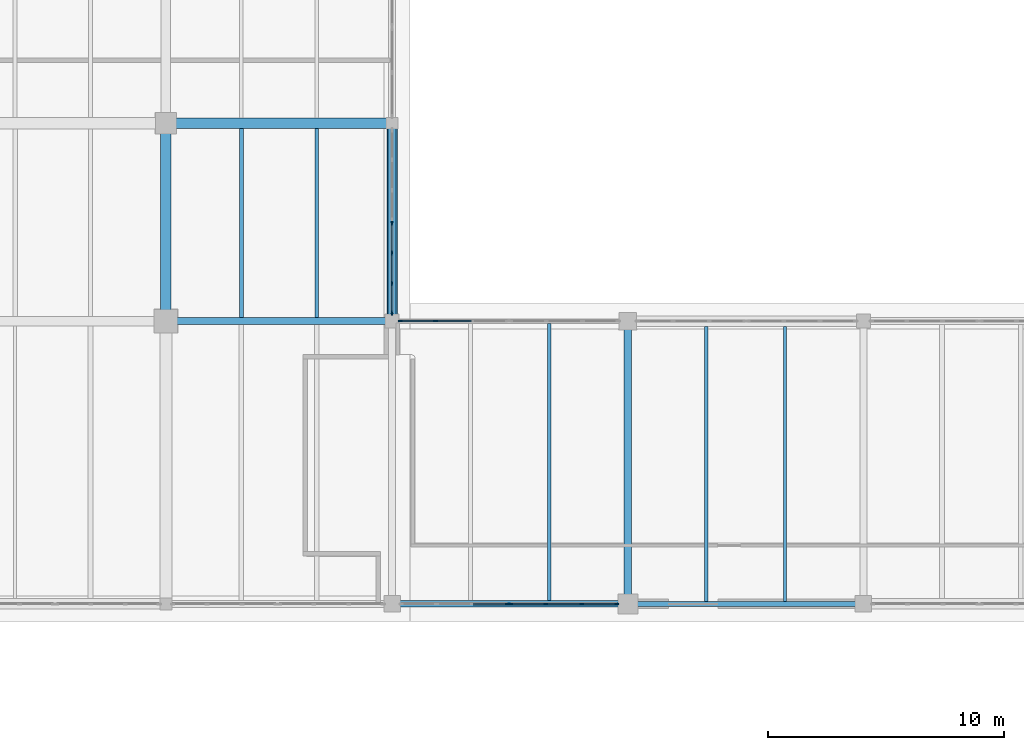
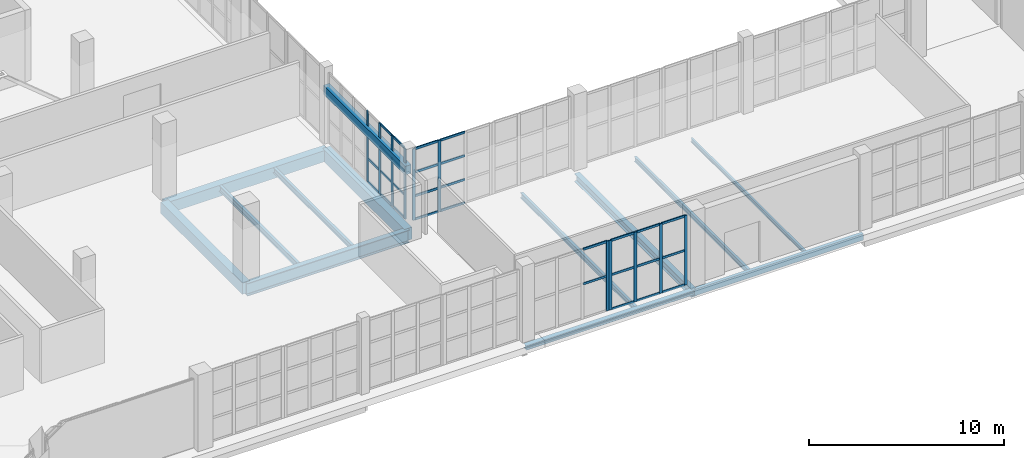
# One storey, part 29 of 121: 40 members, 13 beams, 4 elements without a shape of their own.
"""IFC4 building model written with IfcOpenShell, lengths in metres."""

from ifc_helpers import new_model, si_unit, direction, frame, origin, origin_2d, place, context, subcontext, project, spatial, rectangle, hollow_rectangle, i_section, extrude, material, layer, layer_set, material_profile, profile_set, type_object, element, aggregate, save


model = new_model("IFC4")

# Units and contexts
model_context = context("Model", 3, precision=1e-05, world=origin(), true_north=direction((0.0, 1.0)))
body_context = subcontext(model_context, "Body", "Model", "MODEL_VIEW")
ifc_project = project(units=[si_unit("LENGTHUNIT", "METRE"), si_unit("AREAUNIT", "SQUARE_METRE"), si_unit("VOLUMEUNIT", "CUBIC_METRE"), si_unit("PLANEANGLEUNIT", "RADIAN"), si_unit("MASSUNIT", "GRAM", prefix="KILO")], contexts=[model_context])

# Site, building, storey
site_placement = place(None, origin())
site = spatial("IfcSite", under=ifc_project, at=site_placement, CompositionType="ELEMENT")
building_placement = place(site_placement, origin())
building = spatial("IfcBuilding", under=site, at=building_placement, Name="Zereglee Splitstone Museum", CompositionType="ELEMENT")
storey_placement = place(building_placement, origin())
storey = spatial("IfcBuildingStorey", under=building, at=storey_placement, Name="L00", CompositionType="ELEMENT", Elevation=0.0)

# Beams
ifc_material_1 = material(Name="Concrete C40/50", Category="concrete")
ifc_material_profile_1 = material_profile(ifc_material_1, rectangle(XDim=0.449951171875, YDim=0.699951171875, at=origin_2d()), Name="RC 450x700")
ifc_profile_set_1 = profile_set([ifc_material_profile_1], Name="Concrete C40/50")
beam_type_1 = type_object("IfcBeamType", Name="BG-03", PredefinedType="BEAM", material=ifc_profile_set_1)
beam_1_placement = place(storey_placement, frame((135.60009765625, 30.0, -0.77001953125), z_axis=(1.0, 0.0, 0.0), x_axis=(0.0, 1.0, 0.0)))
element("IfcBeam", 1, at=beam_1_placement, inside=storey, type_object=beam_type_1, Name="Primary Girder L00 D (135.6-145.2)", PredefinedType="BEAM", context=body_context, shape_type="SweptSolid", body=[
    extrude(rectangle(XDim=0.449951171875, YDim=0.699951171875, at=origin_2d()), origin(), (0.0, 0.0, 1.0), 9.599853515625),
])
beam_2_placement = place(storey_placement, frame((135.60009765625, 21.60009765625, -0.77001953125), z_axis=(0.0, 1.0, 0.0), x_axis=(-1.0, 0.0, 0.0)))
element("IfcBeam", 2, at=beam_2_placement, inside=storey, type_object=beam_type_1, Name="Primary Girder L00 16 (21.6-30.0)", PredefinedType="BEAM", context=body_context, shape_type="SweptSolid", body=[
    extrude(rectangle(XDim=0.449951171875, YDim=0.699951171875, at=origin_2d()), origin(), (0.0, 0.0, 1.0), 8.39990234375),
])

# Curtain wall, members
ifc_material_2 = material(Name="Triple-glazed low-E argon glass and bronze-anodised aluminium", Category="aluminium")
ifc_layer_1 = layer(ifc_material_2, 0.179931640625)
ifc_layer_set_1 = layer_set([ifc_layer_1], Name="Triple-glazed low-E argon glass and bronze-anodised aluminium")
curtain_wall_type_1 = type_object("IfcCurtainWallType", Name="CW-0461-448", PredefinedType="USERDEFINED", material=ifc_layer_set_1)
curtain_wall_1_placement = place(storey_placement, origin())
curtain_wall_1 = element("IfcCurtainWall", 3, at=curtain_wall_1_placement, inside=storey, type_object=curtain_wall_type_1, Name="Glazed Curtain Wall CW-0461-448 (L00)", ObjectType="GLAZED CURTAIN WALL", PredefinedType="USERDEFINED")
ifc_material_3 = material(Name="Thermally broken bronze-anodised aluminium", Category="aluminium")
ifc_material_profile_2 = material_profile(ifc_material_3, rectangle(XDim=0.06494140625, YDim=0.179931640625, at=origin_2d()), Name="CW MULL 65x180")
ifc_profile_set_2 = profile_set([ifc_material_profile_2], Name="Thermally broken bronze-anodised aluminium")
member_type_1 = type_object("IfcMemberType", Name="CWM-01", PredefinedType="MULLION", material=ifc_profile_set_2)
member_1_placement = place(storey_placement, frame((147.046142578125, 21.60009765625, 0.0), z_axis=(0.0, 0.0, 1.0), x_axis=(0.0, -1.0, 0.0)))
member_1 = element("IfcMember", 4, at=member_1_placement, type_object=member_type_1, Name="CW-0461-448 mullion 3", PredefinedType="MULLION", context=body_context, shape_type="SweptSolid", body=[
    extrude(rectangle(XDim=0.06494140625, YDim=0.179931640625, at=origin_2d()), origin(), (0.0, 0.0, 1.0), 4.47998046875),
])
member_2_placement = place(storey_placement, frame((145.54052734375, 21.60009765625, 0.0), z_axis=(0.0, 0.0, 1.0), x_axis=(0.0, -1.0, 0.0)))
member_2 = element("IfcMember", 5, at=member_2_placement, type_object=member_type_1, Name="CW-0461-448 mullion 4", PredefinedType="MULLION", context=body_context, shape_type="SweptSolid", body=[
    extrude(rectangle(XDim=0.06494140625, YDim=0.179931640625, at=origin_2d()), origin(), (0.0, 0.0, 1.0), 4.47998046875),
])

ifc_layer_2 = layer(ifc_material_2, 0.179931640625)
ifc_layer_set_2 = layer_set([ifc_layer_2], Name="Triple-glazed low-E argon glass and bronze-anodised aluminium")
curtain_wall_type_2 = type_object("IfcCurtainWallType", Name="CW-0388-444", PredefinedType="USERDEFINED", material=ifc_layer_set_2)
curtain_wall_2_placement = place(storey_placement, origin())
curtain_wall_2 = element("IfcCurtainWall", 6, at=curtain_wall_2_placement, inside=storey, type_object=curtain_wall_type_2, Name="Glazed Curtain Wall CW-0388-444 (L00)", ObjectType="GLAZED CURTAIN WALL", PredefinedType="USERDEFINED")
member_3_placement = place(storey_placement, frame((145.199951171875, 21.9404296875, 0.0), z_axis=(0.0, 0.0, 1.0), x_axis=(-1.0, 0.0, 0.0)))
member_3 = element("IfcMember", 7, at=member_3_placement, type_object=member_type_1, Name="CW-0388-444 mullion 1", PredefinedType="MULLION", context=body_context, shape_type="SweptSolid", body=[
    extrude(rectangle(XDim=0.06494140625, YDim=0.179931640625, at=origin_2d()), origin(), (0.0, 0.0, 1.0), 4.43994140625),
])
member_4_placement = place(storey_placement, frame((145.199951171875, 23.200439453125, 0.0), z_axis=(0.0, 0.0, 1.0), x_axis=(-1.0, 0.0, 0.0)))
member_4 = element("IfcMember", 8, at=member_4_placement, type_object=member_type_1, Name="CW-0388-444 mullion 2", PredefinedType="MULLION", context=body_context, shape_type="SweptSolid", body=[
    extrude(rectangle(XDim=0.06494140625, YDim=0.179931640625, at=origin_2d()), origin(), (0.0, 0.0, 1.0), 4.43994140625),
])
member_5_placement = place(storey_placement, frame((145.199951171875, 24.49267578125, 0.0), z_axis=(0.0, 0.0, 1.0), x_axis=(-1.0, 0.0, 0.0)))
member_5 = element("IfcMember", 9, at=member_5_placement, type_object=member_type_1, Name="CW-0388-444 mullion 3", PredefinedType="MULLION", context=body_context, shape_type="SweptSolid", body=[
    extrude(rectangle(XDim=0.06494140625, YDim=0.179931640625, at=origin_2d()), origin(), (0.0, 0.0, 1.0), 4.43994140625),
])
member_6_placement = place(storey_placement, frame((145.199951171875, 25.75244140625, 0.0), z_axis=(0.0, 0.0, 1.0), x_axis=(-1.0, 0.0, 0.0)))
member_6 = element("IfcMember", 10, at=member_6_placement, type_object=member_type_1, Name="CW-0388-444 mullion 4", PredefinedType="MULLION", context=body_context, shape_type="SweptSolid", body=[
    extrude(rectangle(XDim=0.06494140625, YDim=0.179931640625, at=origin_2d()), origin(), (0.0, 0.0, 1.0), 4.43994140625),
])

# Curtain wall, member
ifc_layer_3 = layer(ifc_material_2, 0.179931640625)
ifc_layer_set_3 = layer_set([ifc_layer_3], Name="Triple-glazed low-E argon glass and bronze-anodised aluminium")
curtain_wall_type_3 = type_object("IfcCurtainWallType", Name="CW-0456-438", PredefinedType="USERDEFINED", material=ifc_layer_set_3)
curtain_wall_3_placement = place(storey_placement, origin())
curtain_wall_3 = element("IfcCurtainWall", 11, at=curtain_wall_3_placement, inside=storey, type_object=curtain_wall_type_3, Name="Glazed Curtain Wall CW-0456-438 (L00)", ObjectType="GLAZED CURTAIN WALL", PredefinedType="USERDEFINED")
member_7_placement = place(storey_placement, frame((150.090087890625, 9.60009765625, 0.0), z_axis=(0.0, 0.0, 1.0), x_axis=(0.0, 1.0, 0.0)))
member_7 = element("IfcMember", 12, at=member_7_placement, type_object=member_type_1, Name="CW-0456-438 mullion 4", PredefinedType="MULLION", context=body_context, shape_type="SweptSolid", body=[
    extrude(rectangle(XDim=0.06494140625, YDim=0.179931640625, at=origin_2d()), origin(), (0.0, 0.0, 1.0), 4.3798828125),
])

# Curtain wall, members
ifc_layer_4 = layer(ifc_material_2, 0.179931640625)
ifc_layer_set_4 = layer_set([ifc_layer_4], Name="Triple-glazed low-E argon glass and bronze-anodised aluminium")
curtain_wall_type_4 = type_object("IfcCurtainWallType", Name="CW-0456-436", PredefinedType="USERDEFINED", material=ifc_layer_set_4)
curtain_wall_4_placement = place(storey_placement, origin())
curtain_wall_4 = element("IfcCurtainWall", 13, at=curtain_wall_4_placement, inside=storey, type_object=curtain_wall_type_4, Name="Glazed Curtain Wall CW-0456-436 (L00)", ObjectType="GLAZED CURTAIN WALL", PredefinedType="USERDEFINED")
member_8_placement = place(storey_placement, frame((150.235107421875, 9.60009765625, 0.0), z_axis=(0.0, 0.0, 1.0), x_axis=(0.0, 1.0, 0.0)))
member_8 = element("IfcMember", 14, at=member_8_placement, type_object=member_type_1, Name="CW-0456-436 mullion 1", PredefinedType="MULLION", context=body_context, shape_type="SweptSolid", body=[
    extrude(rectangle(XDim=0.06494140625, YDim=0.179931640625, at=origin_2d()), origin(), (0.0, 0.0, 1.0), 4.360107421875),
])
member_9_placement = place(storey_placement, frame((151.72412109375, 9.60009765625, 0.0), z_axis=(0.0, 0.0, 1.0), x_axis=(0.0, 1.0, 0.0)))
member_9 = element("IfcMember", 15, at=member_9_placement, type_object=member_type_1, Name="CW-0456-436 mullion 2", PredefinedType="MULLION", context=body_context, shape_type="SweptSolid", body=[
    extrude(rectangle(XDim=0.06494140625, YDim=0.179931640625, at=origin_2d()), origin(), (0.0, 0.0, 1.0), 4.360107421875),
])
member_10_placement = place(storey_placement, frame((153.24560546875, 9.60009765625, 0.0), z_axis=(0.0, 0.0, 1.0), x_axis=(0.0, 1.0, 0.0)))
member_10 = element("IfcMember", 16, at=member_10_placement, type_object=member_type_1, Name="CW-0456-436 mullion 3", PredefinedType="MULLION", context=body_context, shape_type="SweptSolid", body=[
    extrude(rectangle(XDim=0.06494140625, YDim=0.179931640625, at=origin_2d()), origin(), (0.0, 0.0, 1.0), 4.360107421875),
])
member_11_placement = place(storey_placement, frame((154.734619140625, 9.60009765625, 0.0), z_axis=(0.0, 0.0, 1.0), x_axis=(0.0, 1.0, 0.0)))
member_11 = element("IfcMember", 17, at=member_11_placement, type_object=member_type_1, Name="CW-0456-436 mullion 4", PredefinedType="MULLION", context=body_context, shape_type="SweptSolid", body=[
    extrude(rectangle(XDim=0.06494140625, YDim=0.179931640625, at=origin_2d()), origin(), (0.0, 0.0, 1.0), 4.360107421875),
])

# Member
ifc_material_profile_3 = material_profile(ifc_material_3, rectangle(XDim=0.06494140625, YDim=0.139892578125, at=origin_2d()), Name="CW TRAN 65x140")
ifc_profile_set_3 = profile_set([ifc_material_profile_3], Name="Thermally broken bronze-anodised aluminium")
member_type_2 = type_object("IfcMemberType", Name="CWT-01", PredefinedType="USERDEFINED", material=ifc_profile_set_3)
member_12_placement = place(storey_placement, frame((148.5517578125, 21.60009765625, 0.032470703125), z_axis=(-1.0, 0.0, 0.0), x_axis=(0.0, -1.0, 0.0)))
member_12 = element("IfcMember", 18, at=member_12_placement, type_object=member_type_2, Name="CW-0461-448 transom 2.1", ObjectType="TRANSOM", PredefinedType="USERDEFINED", context=body_context, shape_type="SweptSolid", body=[
    extrude(rectangle(XDim=0.06494140625, YDim=0.139892578125, at=origin_2d()), origin(), (0.0, 0.0, 1.0), 1.47314453125),
])

member_13_placement = place(storey_placement, frame((148.5517578125, 21.60009765625, 1.493408203125), z_axis=(-1.0, 0.0, 0.0), x_axis=(0.0, -1.0, 0.0)))
member_13 = element("IfcMember", 19, at=member_13_placement, type_object=member_type_2, Name="CW-0461-448 transom 2.2", ObjectType="TRANSOM", PredefinedType="USERDEFINED", context=body_context, shape_type="SweptSolid", body=[
    extrude(rectangle(XDim=0.06494140625, YDim=0.139892578125, at=origin_2d()), origin(), (0.0, 0.0, 1.0), 1.47314453125),
])

member_14_placement = place(storey_placement, frame((148.5517578125, 21.60009765625, 2.98681640625), z_axis=(-1.0, 0.0, 0.0), x_axis=(0.0, -1.0, 0.0)))
member_14 = element("IfcMember", 20, at=member_14_placement, type_object=member_type_2, Name="CW-0461-448 transom 2.3", ObjectType="TRANSOM", PredefinedType="USERDEFINED", context=body_context, shape_type="SweptSolid", body=[
    extrude(rectangle(XDim=0.06494140625, YDim=0.139892578125, at=origin_2d()), origin(), (0.0, 0.0, 1.0), 1.47314453125),
])

member_15_placement = place(storey_placement, frame((148.5517578125, 21.60009765625, 4.447509765625), z_axis=(-1.0, 0.0, 0.0), x_axis=(0.0, -1.0, 0.0)))
member_15 = element("IfcMember", 21, at=member_15_placement, type_object=member_type_2, Name="CW-0461-448 transom 2.4", ObjectType="TRANSOM", PredefinedType="USERDEFINED", context=body_context, shape_type="SweptSolid", body=[
    extrude(rectangle(XDim=0.06494140625, YDim=0.139892578125, at=origin_2d()), origin(), (0.0, 0.0, 1.0), 1.47314453125),
])

member_16_placement = place(storey_placement, frame((147.013671875, 21.60009765625, 0.032470703125), z_axis=(-1.0, 0.0, 0.0), x_axis=(0.0, -1.0, 0.0)))
member_16 = element("IfcMember", 22, at=member_16_placement, type_object=member_type_2, Name="CW-0461-448 transom 3.1", ObjectType="TRANSOM", PredefinedType="USERDEFINED", context=body_context, shape_type="SweptSolid", body=[
    extrude(rectangle(XDim=0.06494140625, YDim=0.139892578125, at=origin_2d()), origin(), (0.0, 0.0, 1.0), 1.440673828125),
])

member_17_placement = place(storey_placement, frame((147.013671875, 21.60009765625, 1.493408203125), z_axis=(-1.0, 0.0, 0.0), x_axis=(0.0, -1.0, 0.0)))
member_17 = element("IfcMember", 23, at=member_17_placement, type_object=member_type_2, Name="CW-0461-448 transom 3.2", ObjectType="TRANSOM", PredefinedType="USERDEFINED", context=body_context, shape_type="SweptSolid", body=[
    extrude(rectangle(XDim=0.06494140625, YDim=0.139892578125, at=origin_2d()), origin(), (0.0, 0.0, 1.0), 1.440673828125),
])

member_18_placement = place(storey_placement, frame((147.013671875, 21.60009765625, 2.98681640625), z_axis=(-1.0, 0.0, 0.0), x_axis=(0.0, -1.0, 0.0)))
member_18 = element("IfcMember", 24, at=member_18_placement, type_object=member_type_2, Name="CW-0461-448 transom 3.3", ObjectType="TRANSOM", PredefinedType="USERDEFINED", context=body_context, shape_type="SweptSolid", body=[
    extrude(rectangle(XDim=0.06494140625, YDim=0.139892578125, at=origin_2d()), origin(), (0.0, 0.0, 1.0), 1.440673828125),
])

member_19_placement = place(storey_placement, frame((147.013671875, 21.60009765625, 4.447509765625), z_axis=(-1.0, 0.0, 0.0), x_axis=(0.0, -1.0, 0.0)))
member_19 = element("IfcMember", 25, at=member_19_placement, type_object=member_type_2, Name="CW-0461-448 transom 3.4", ObjectType="TRANSOM", PredefinedType="USERDEFINED", context=body_context, shape_type="SweptSolid", body=[
    extrude(rectangle(XDim=0.06494140625, YDim=0.139892578125, at=origin_2d()), origin(), (0.0, 0.0, 1.0), 1.440673828125),
])

aggregate(curtain_wall_1, [member_1, member_2, member_12, member_13, member_14, member_15, member_16, member_17, member_18, member_19])

member_20_placement = place(storey_placement, frame((145.199951171875, 21.972900390625, 0.032470703125), z_axis=(0.0, 1.0, 0.0), x_axis=(-1.0, 0.0, 0.0)))
member_20 = element("IfcMember", 26, at=member_20_placement, type_object=member_type_2, Name="CW-0388-444 transom 1.1", ObjectType="TRANSOM", PredefinedType="USERDEFINED", context=body_context, shape_type="SweptSolid", body=[
    extrude(rectangle(XDim=0.06494140625, YDim=0.139892578125, at=origin_2d()), origin(), (0.0, 0.0, 1.0), 1.19482421875),
])

member_21_placement = place(storey_placement, frame((145.199951171875, 21.972900390625, 1.47998046875), z_axis=(0.0, 1.0, 0.0), x_axis=(-1.0, 0.0, 0.0)))
member_21 = element("IfcMember", 27, at=member_21_placement, type_object=member_type_2, Name="CW-0388-444 transom 1.2", ObjectType="TRANSOM", PredefinedType="USERDEFINED", context=body_context, shape_type="SweptSolid", body=[
    extrude(rectangle(XDim=0.06494140625, YDim=0.139892578125, at=origin_2d()), origin(), (0.0, 0.0, 1.0), 1.19482421875),
])

member_22_placement = place(storey_placement, frame((145.199951171875, 21.972900390625, 2.9599609375), z_axis=(0.0, 1.0, 0.0), x_axis=(-1.0, 0.0, 0.0)))
member_22 = element("IfcMember", 28, at=member_22_placement, type_object=member_type_2, Name="CW-0388-444 transom 1.3", ObjectType="TRANSOM", PredefinedType="USERDEFINED", context=body_context, shape_type="SweptSolid", body=[
    extrude(rectangle(XDim=0.06494140625, YDim=0.139892578125, at=origin_2d()), origin(), (0.0, 0.0, 1.0), 1.19482421875),
])

member_23_placement = place(storey_placement, frame((145.199951171875, 21.972900390625, 4.407470703125), z_axis=(0.0, 1.0, 0.0), x_axis=(-1.0, 0.0, 0.0)))
member_23 = element("IfcMember", 29, at=member_23_placement, type_object=member_type_2, Name="CW-0388-444 transom 1.4", ObjectType="TRANSOM", PredefinedType="USERDEFINED", context=body_context, shape_type="SweptSolid", body=[
    extrude(rectangle(XDim=0.06494140625, YDim=0.139892578125, at=origin_2d()), origin(), (0.0, 0.0, 1.0), 1.19482421875),
])

member_24_placement = place(storey_placement, frame((145.199951171875, 23.23291015625, 0.032470703125), z_axis=(0.0, 1.0, 0.0), x_axis=(-1.0, 0.0, 0.0)))
member_24 = element("IfcMember", 30, at=member_24_placement, type_object=member_type_2, Name="CW-0388-444 transom 2.1", ObjectType="TRANSOM", PredefinedType="USERDEFINED", context=body_context, shape_type="SweptSolid", body=[
    extrude(rectangle(XDim=0.06494140625, YDim=0.139892578125, at=origin_2d()), origin(), (0.0, 0.0, 1.0), 1.227294921875),
])

member_25_placement = place(storey_placement, frame((145.199951171875, 23.23291015625, 1.47998046875), z_axis=(0.0, 1.0, 0.0), x_axis=(-1.0, 0.0, 0.0)))
member_25 = element("IfcMember", 31, at=member_25_placement, type_object=member_type_2, Name="CW-0388-444 transom 2.2", ObjectType="TRANSOM", PredefinedType="USERDEFINED", context=body_context, shape_type="SweptSolid", body=[
    extrude(rectangle(XDim=0.06494140625, YDim=0.139892578125, at=origin_2d()), origin(), (0.0, 0.0, 1.0), 1.227294921875),
])

member_26_placement = place(storey_placement, frame((145.199951171875, 23.23291015625, 2.9599609375), z_axis=(0.0, 1.0, 0.0), x_axis=(-1.0, 0.0, 0.0)))
member_26 = element("IfcMember", 32, at=member_26_placement, type_object=member_type_2, Name="CW-0388-444 transom 2.3", ObjectType="TRANSOM", PredefinedType="USERDEFINED", context=body_context, shape_type="SweptSolid", body=[
    extrude(rectangle(XDim=0.06494140625, YDim=0.139892578125, at=origin_2d()), origin(), (0.0, 0.0, 1.0), 1.227294921875),
])

member_27_placement = place(storey_placement, frame((145.199951171875, 23.23291015625, 4.407470703125), z_axis=(0.0, 1.0, 0.0), x_axis=(-1.0, 0.0, 0.0)))
member_27 = element("IfcMember", 33, at=member_27_placement, type_object=member_type_2, Name="CW-0388-444 transom 2.4", ObjectType="TRANSOM", PredefinedType="USERDEFINED", context=body_context, shape_type="SweptSolid", body=[
    extrude(rectangle(XDim=0.06494140625, YDim=0.139892578125, at=origin_2d()), origin(), (0.0, 0.0, 1.0), 1.227294921875),
])

member_28_placement = place(storey_placement, frame((145.199951171875, 24.525146484375, 0.032470703125), z_axis=(0.0, 1.0, 0.0), x_axis=(-1.0, 0.0, 0.0)))
member_28 = element("IfcMember", 34, at=member_28_placement, type_object=member_type_2, Name="CW-0388-444 transom 3.1", ObjectType="TRANSOM", PredefinedType="USERDEFINED", context=body_context, shape_type="SweptSolid", body=[
    extrude(rectangle(XDim=0.06494140625, YDim=0.139892578125, at=origin_2d()), origin(), (0.0, 0.0, 1.0), 1.19482421875),
])

member_29_placement = place(storey_placement, frame((145.199951171875, 24.525146484375, 1.47998046875), z_axis=(0.0, 1.0, 0.0), x_axis=(-1.0, 0.0, 0.0)))
member_29 = element("IfcMember", 35, at=member_29_placement, type_object=member_type_2, Name="CW-0388-444 transom 3.2", ObjectType="TRANSOM", PredefinedType="USERDEFINED", context=body_context, shape_type="SweptSolid", body=[
    extrude(rectangle(XDim=0.06494140625, YDim=0.139892578125, at=origin_2d()), origin(), (0.0, 0.0, 1.0), 1.19482421875),
])

aggregate(curtain_wall_2, [member_3, member_4, member_5, member_6, member_20, member_21, member_22, member_23, member_24, member_25, member_26, member_27, member_28, member_29])

member_30_placement = place(storey_placement, frame((148.633544921875, 9.60009765625, 2.18994140625), z_axis=(1.0, 0.0, 0.0), x_axis=(0.0, 1.0, 0.0)))
member_30 = element("IfcMember", 36, at=member_30_placement, type_object=member_type_2, Name="CW-0456-438 transom 3.2", ObjectType="TRANSOM", PredefinedType="USERDEFINED", context=body_context, shape_type="SweptSolid", body=[
    extrude(rectangle(XDim=0.06494140625, YDim=0.139892578125, at=origin_2d()), origin(), (0.0, 0.0, 1.0), 1.424072265625),
])

member_31_placement = place(storey_placement, frame((148.633544921875, 9.60009765625, 4.347412109375), z_axis=(1.0, 0.0, 0.0), x_axis=(0.0, 1.0, 0.0)))
member_31 = element("IfcMember", 37, at=member_31_placement, type_object=member_type_2, Name="CW-0456-438 transom 3.3", ObjectType="TRANSOM", PredefinedType="USERDEFINED", context=body_context, shape_type="SweptSolid", body=[
    extrude(rectangle(XDim=0.06494140625, YDim=0.139892578125, at=origin_2d()), origin(), (0.0, 0.0, 1.0), 1.424072265625),
])

aggregate(curtain_wall_3, [member_7, member_30, member_31])

member_32_placement = place(storey_placement, frame((150.267578125, 9.60009765625, 0.032470703125), z_axis=(1.0, 0.0, 0.0), x_axis=(0.0, 1.0, 0.0)))
member_32 = element("IfcMember", 38, at=member_32_placement, type_object=member_type_2, Name="CW-0456-436 transom 1.1", ObjectType="TRANSOM", PredefinedType="USERDEFINED", context=body_context, shape_type="SweptSolid", body=[
    extrude(rectangle(XDim=0.06494140625, YDim=0.139892578125, at=origin_2d()), origin(), (0.0, 0.0, 1.0), 1.423828125),
])

member_33_placement = place(storey_placement, frame((150.267578125, 9.60009765625, 2.179931640625), z_axis=(1.0, 0.0, 0.0), x_axis=(0.0, 1.0, 0.0)))
member_33 = element("IfcMember", 39, at=member_33_placement, type_object=member_type_2, Name="CW-0456-436 transom 1.2", ObjectType="TRANSOM", PredefinedType="USERDEFINED", context=body_context, shape_type="SweptSolid", body=[
    extrude(rectangle(XDim=0.06494140625, YDim=0.139892578125, at=origin_2d()), origin(), (0.0, 0.0, 1.0), 1.423828125),
])

member_34_placement = place(storey_placement, frame((150.267578125, 9.60009765625, 4.327392578125), z_axis=(1.0, 0.0, 0.0), x_axis=(0.0, 1.0, 0.0)))
member_34 = element("IfcMember", 40, at=member_34_placement, type_object=member_type_2, Name="CW-0456-436 transom 1.3", ObjectType="TRANSOM", PredefinedType="USERDEFINED", context=body_context, shape_type="SweptSolid", body=[
    extrude(rectangle(XDim=0.06494140625, YDim=0.139892578125, at=origin_2d()), origin(), (0.0, 0.0, 1.0), 1.423828125),
])

member_35_placement = place(storey_placement, frame((151.756591796875, 9.60009765625, 0.032470703125), z_axis=(1.0, 0.0, 0.0), x_axis=(0.0, 1.0, 0.0)))
member_35 = element("IfcMember", 41, at=member_35_placement, type_object=member_type_2, Name="CW-0456-436 transom 2.1", ObjectType="TRANSOM", PredefinedType="USERDEFINED", context=body_context, shape_type="SweptSolid", body=[
    extrude(rectangle(XDim=0.06494140625, YDim=0.139892578125, at=origin_2d()), origin(), (0.0, 0.0, 1.0), 1.456298828125),
])

member_36_placement = place(storey_placement, frame((151.756591796875, 9.60009765625, 2.179931640625), z_axis=(1.0, 0.0, 0.0), x_axis=(0.0, 1.0, 0.0)))
member_36 = element("IfcMember", 42, at=member_36_placement, type_object=member_type_2, Name="CW-0456-436 transom 2.2", ObjectType="TRANSOM", PredefinedType="USERDEFINED", context=body_context, shape_type="SweptSolid", body=[
    extrude(rectangle(XDim=0.06494140625, YDim=0.139892578125, at=origin_2d()), origin(), (0.0, 0.0, 1.0), 1.456298828125),
])

member_37_placement = place(storey_placement, frame((151.756591796875, 9.60009765625, 4.327392578125), z_axis=(1.0, 0.0, 0.0), x_axis=(0.0, 1.0, 0.0)))
member_37 = element("IfcMember", 43, at=member_37_placement, type_object=member_type_2, Name="CW-0456-436 transom 2.3", ObjectType="TRANSOM", PredefinedType="USERDEFINED", context=body_context, shape_type="SweptSolid", body=[
    extrude(rectangle(XDim=0.06494140625, YDim=0.139892578125, at=origin_2d()), origin(), (0.0, 0.0, 1.0), 1.456298828125),
])

member_38_placement = place(storey_placement, frame((153.278076171875, 9.60009765625, 0.032470703125), z_axis=(1.0, 0.0, 0.0), x_axis=(0.0, 1.0, 0.0)))
member_38 = element("IfcMember", 44, at=member_38_placement, type_object=member_type_2, Name="CW-0456-436 transom 3.1", ObjectType="TRANSOM", PredefinedType="USERDEFINED", context=body_context, shape_type="SweptSolid", body=[
    extrude(rectangle(XDim=0.06494140625, YDim=0.139892578125, at=origin_2d()), origin(), (0.0, 0.0, 1.0), 1.423828125),
])

member_39_placement = place(storey_placement, frame((153.278076171875, 9.60009765625, 2.179931640625), z_axis=(1.0, 0.0, 0.0), x_axis=(0.0, 1.0, 0.0)))
member_39 = element("IfcMember", 45, at=member_39_placement, type_object=member_type_2, Name="CW-0456-436 transom 3.2", ObjectType="TRANSOM", PredefinedType="USERDEFINED", context=body_context, shape_type="SweptSolid", body=[
    extrude(rectangle(XDim=0.06494140625, YDim=0.139892578125, at=origin_2d()), origin(), (0.0, 0.0, 1.0), 1.423828125),
])

member_40_placement = place(storey_placement, frame((153.278076171875, 9.60009765625, 4.327392578125), z_axis=(1.0, 0.0, 0.0), x_axis=(0.0, 1.0, 0.0)))
member_40 = element("IfcMember", 46, at=member_40_placement, type_object=member_type_2, Name="CW-0456-436 transom 3.3", ObjectType="TRANSOM", PredefinedType="USERDEFINED", context=body_context, shape_type="SweptSolid", body=[
    extrude(rectangle(XDim=0.06494140625, YDim=0.139892578125, at=origin_2d()), origin(), (0.0, 0.0, 1.0), 1.423828125),
])

aggregate(curtain_wall_4, [member_8, member_9, member_10, member_11, member_32, member_33, member_34, member_35, member_36, member_37, member_38, member_39, member_40])

# Beams
ifc_material_4 = material(Name="Steel S355J2", Category="steel")
ifc_material_profile_4 = material_profile(ifc_material_4, i_section(OverallWidth=0.300048828125, OverallDepth=0.5, WebThickness=0.014404296875, FlangeThickness=0.028076171875, FilletRadius=0.027099609375, at=origin_2d()), Name="HE 500 B")
ifc_profile_set_4 = profile_set([ifc_material_profile_4], Name="Steel S355J2")
beam_type_2 = type_object("IfcBeamType", Name="BG-12", PredefinedType="BEAM", material=ifc_profile_set_4)
beam_3_placement = place(storey_placement, frame((155.199951171875, 9.60009765625, -0.669921875), z_axis=(0.0, 1.0, 0.0), x_axis=(-1.0, 0.0, 0.0)))
element("IfcBeam", 47, at=beam_3_placement, inside=storey, type_object=beam_type_2, Name="Primary Girder L00 18 (9.6-21.6)", PredefinedType="BEAM", context=body_context, shape_type="SweptSolid", body=[
    extrude(i_section(OverallWidth=0.300048828125, OverallDepth=0.5, WebThickness=0.014404296875, FlangeThickness=0.028076171875, FilletRadius=0.027099609375, at=origin_2d()), origin(), (0.0, 0.0, 1.0), 12.0),
])
ifc_material_profile_5 = material_profile(ifc_material_4, i_section(OverallWidth=0.300048828125, OverallDepth=0.800048828125, WebThickness=0.017578125, FlangeThickness=0.032958984375, FilletRadius=0.030029296875, at=origin_2d()), Name="HE 800 B")
ifc_profile_set_5 = profile_set([ifc_material_profile_5], Name="Steel S355J2")
beam_type_3 = type_object("IfcBeamType", Name="BG-07", PredefinedType="BEAM", material=ifc_profile_set_5)
beam_4_placement = place(storey_placement, frame((135.60009765625, 21.60009765625, -0.820068359375), z_axis=(1.0, 0.0, 0.0), x_axis=(0.0, 1.0, 0.0)))
element("IfcBeam", 48, at=beam_4_placement, inside=storey, type_object=beam_type_3, Name="Primary Girder L00 C (135.6-145.2)", PredefinedType="BEAM", context=body_context, shape_type="SweptSolid", body=[
    extrude(i_section(OverallWidth=0.300048828125, OverallDepth=0.800048828125, WebThickness=0.017578125, FlangeThickness=0.032958984375, FilletRadius=0.030029296875, at=origin_2d()), origin(), (0.0, 0.0, 1.0), 9.599853515625),
])
ifc_material_profile_6 = material_profile(ifc_material_4, i_section(OverallWidth=0.1201171875, OverallDepth=0.239990234375, WebThickness=0.006103515625, FlangeThickness=0.009765625, FilletRadius=0.014892578125, at=origin_2d()), Name="IPE 240")
ifc_profile_set_6 = profile_set([ifc_material_profile_6], Name="Steel S355J2")
beam_type_4 = type_object("IfcBeamType", Name="BJ-07", PredefinedType="JOIST", material=ifc_profile_set_6)
beam_5_placement = place(storey_placement, frame((161.86669921875, 9.699951171875, -0.5400390625), z_axis=(0.0, 1.0, 0.0), x_axis=(-1.0, 0.0, 0.0)))
element("IfcBeam", 49, at=beam_5_placement, inside=storey, type_object=beam_type_4, Name="Secondary Floor Joist L00-0293", PredefinedType="JOIST", context=body_context, shape_type="SweptSolid", body=[
    extrude(i_section(OverallWidth=0.1201171875, OverallDepth=0.239990234375, WebThickness=0.006103515625, FlangeThickness=0.009765625, FilletRadius=0.014892578125, at=origin_2d()), origin(), (0.0, 0.0, 1.0), 11.675048828125),
])
ifc_material_profile_7 = material_profile(ifc_material_4, i_section(OverallWidth=0.14990234375, OverallDepth=0.300048828125, WebThickness=0.007080078125, FlangeThickness=0.0107421875, FilletRadius=0.014892578125, at=origin_2d()), Name="IPE 300")
ifc_profile_set_7 = profile_set([ifc_material_profile_7], Name="Steel S355J2")
beam_type_5 = type_object("IfcBeamType", Name="BJ-06", PredefinedType="JOIST", material=ifc_profile_set_7)
beam_6_placement = place(storey_placement, frame((158.533203125, 9.699951171875, -0.570068359375), z_axis=(0.0, 1.0, 0.0), x_axis=(-1.0, 0.0, 0.0)))
element("IfcBeam", 50, at=beam_6_placement, inside=storey, type_object=beam_type_5, Name="Secondary Floor Joist L00-0292", PredefinedType="JOIST", context=body_context, shape_type="SweptSolid", body=[
    extrude(i_section(OverallWidth=0.14990234375, OverallDepth=0.300048828125, WebThickness=0.007080078125, FlangeThickness=0.0107421875, FilletRadius=0.014892578125, at=origin_2d()), origin(), (0.0, 0.0, 1.0), 11.675048828125),
])
ifc_material_profile_8 = material_profile(ifc_material_4, i_section(OverallWidth=0.159912109375, OverallDepth=0.330078125, WebThickness=0.007568359375, FlangeThickness=0.011474609375, FilletRadius=0.01806640625, at=origin_2d()), Name="IPE 330")
ifc_profile_set_8 = profile_set([ifc_material_profile_8], Name="Steel S355J2")
beam_type_6 = type_object("IfcBeamType", Name="BJ-05", PredefinedType="JOIST", material=ifc_profile_set_8)
beam_7_placement = place(storey_placement, frame((151.86669921875, 9.739990234375, -0.5849609375), z_axis=(0.0, 1.0, 0.0), x_axis=(-1.0, 0.0, 0.0)))
element("IfcBeam", 51, at=beam_7_placement, inside=storey, type_object=beam_type_6, Name="Secondary Floor Joist L00-0291", PredefinedType="JOIST", context=body_context, shape_type="SweptSolid", body=[
    extrude(i_section(OverallWidth=0.159912109375, OverallDepth=0.330078125, WebThickness=0.007568359375, FlangeThickness=0.011474609375, FilletRadius=0.01806640625, at=origin_2d()), origin(), (0.0, 0.0, 1.0), 11.760009765625),
])
beam_8_placement = place(storey_placement, frame((142.0, 21.75, -0.5849609375), z_axis=(0.0, 1.0, 0.0), x_axis=(-1.0, 0.0, 0.0)))
element("IfcBeam", 52, at=beam_8_placement, inside=storey, type_object=beam_type_6, Name="Secondary Floor Joist L00-0326", PredefinedType="JOIST", context=body_context, shape_type="SweptSolid", body=[
    extrude(i_section(OverallWidth=0.159912109375, OverallDepth=0.330078125, WebThickness=0.007568359375, FlangeThickness=0.011474609375, FilletRadius=0.01806640625, at=origin_2d()), origin(), (0.0, 0.0, 1.0), 8.02490234375),
])
ifc_material_profile_9 = material_profile(ifc_material_4, i_section(OverallWidth=0.169921875, OverallDepth=0.360107421875, WebThickness=0.008056640625, FlangeThickness=0.0126953125, FilletRadius=0.01806640625, at=origin_2d()), Name="IPE 360")
ifc_profile_set_9 = profile_set([ifc_material_profile_9], Name="Steel S355J2")
beam_type_7 = type_object("IfcBeamType", Name="BJ-04", PredefinedType="JOIST", material=ifc_profile_set_9)
beam_9_placement = place(storey_placement, frame((138.800048828125, 21.75, -0.60009765625), z_axis=(0.0, 1.0, 0.0), x_axis=(-1.0, 0.0, 0.0)))
element("IfcBeam", 53, at=beam_9_placement, inside=storey, type_object=beam_type_7, Name="Secondary Floor Joist L00-0325", PredefinedType="JOIST", context=body_context, shape_type="SweptSolid", body=[
    extrude(i_section(OverallWidth=0.169921875, OverallDepth=0.360107421875, WebThickness=0.008056640625, FlangeThickness=0.0126953125, FilletRadius=0.01806640625, at=origin_2d()), origin(), (0.0, 0.0, 1.0), 8.02490234375),
])
ifc_material_5 = material(Name="Precast concrete C40/50", Category="concrete")
ifc_material_profile_10 = material_profile(ifc_material_5, rectangle(XDim=0.35009765625, YDim=0.550048828125, at=origin_2d()), Name="RC 350x550")
ifc_profile_set_10 = profile_set([ifc_material_profile_10], Name="Precast concrete C40/50")
beam_type_8 = type_object("IfcBeamType", Name="LN-01", PredefinedType="LINTEL", material=ifc_profile_set_10)
beam_10_placement = place(storey_placement, frame((145.199951171875, 21.60009765625, 3.25), z_axis=(0.0, 1.0, 0.0), x_axis=(-1.0, 0.0, 0.0)))
element("IfcBeam", 54, at=beam_10_placement, inside=storey, type_object=beam_type_8, Name="Pishtaq Portal Lintel LNT-07", PredefinedType="LINTEL", context=body_context, shape_type="SweptSolid", body=[
    extrude(rectangle(XDim=0.35009765625, YDim=0.550048828125, at=origin_2d()), origin(), (0.0, 0.0, 1.0), 8.39990234375),
])
ifc_material_profile_11 = material_profile(ifc_material_4, i_section(OverallWidth=0.280029296875, OverallDepth=0.280029296875, WebThickness=0.010498046875, FlangeThickness=0.01806640625, FilletRadius=0.02392578125, at=origin_2d()), Name="HE 280 B")
ifc_profile_set_11 = profile_set([ifc_material_profile_11], Name="Steel S355J2")
beam_type_9 = type_object("IfcBeamType", Name="SP-03", PredefinedType="SPANDREL", material=ifc_profile_set_11)
beam_11_placement = place(storey_placement, frame((145.199951171875, 9.60009765625, -0.56005859375), z_axis=(1.0, 0.0, 0.0), x_axis=(0.0, 1.0, 0.0)))
element("IfcBeam", 55, at=beam_11_placement, inside=storey, type_object=beam_type_9, Name="Primary Girder L00 B (145.2-155.2)", PredefinedType="SPANDREL", context=body_context, shape_type="SweptSolid", body=[
    extrude(i_section(OverallWidth=0.280029296875, OverallDepth=0.280029296875, WebThickness=0.010498046875, FlangeThickness=0.01806640625, FilletRadius=0.02392578125, at=origin_2d()), origin(), (0.0, 0.0, 1.0), 10.0),
])
ifc_material_profile_12 = material_profile(ifc_material_1, rectangle(XDim=0.449951171875, YDim=0.75, at=origin_2d()), Name="RC 450x750")
ifc_profile_set_12 = profile_set([ifc_material_profile_12], Name="Concrete C40/50")
beam_type_10 = type_object("IfcBeamType", Name="SP-01", PredefinedType="SPANDREL", material=ifc_profile_set_12)
beam_12_placement = place(storey_placement, frame((145.199951171875, 21.60009765625, -0.794921875), z_axis=(0.0, 1.0, 0.0), x_axis=(-1.0, 0.0, 0.0)))
element("IfcBeam", 56, at=beam_12_placement, inside=storey, type_object=beam_type_10, Name="Primary Girder L00 17 (21.6-30.0)", PredefinedType="SPANDREL", context=body_context, shape_type="SweptSolid", body=[
    extrude(rectangle(XDim=0.449951171875, YDim=0.75, at=origin_2d()), origin(), (0.0, 0.0, 1.0), 8.39990234375),
])
ifc_material_6 = material(Name="Steel S355J2H", Category="steel")
ifc_material_profile_13 = material_profile(ifc_material_6, hollow_rectangle(XDim=0.199951171875, YDim=0.39990234375, WallThickness=0.01611328125, at=origin_2d()), Name="RHS 400x200x16")
ifc_profile_set_13 = profile_set([ifc_material_profile_13], Name="Steel S355J2H")
beam_type_11 = type_object("IfcBeamType", Name="SP-04", PredefinedType="SPANDREL", material=ifc_profile_set_13)
beam_13_placement = place(storey_placement, frame((155.199951171875, 9.60009765625, -0.6201171875), z_axis=(1.0, 0.0, 0.0), x_axis=(0.0, 1.0, 0.0)))
element("IfcBeam", 57, at=beam_13_placement, inside=storey, type_object=beam_type_11, Name="Primary Girder L00 B (155.2-165.2)", PredefinedType="SPANDREL", context=body_context, shape_type="SweptSolid", body=[
    extrude(hollow_rectangle(XDim=0.199951171875, YDim=0.39990234375, WallThickness=0.01611328125, at=origin_2d()), origin(), (0.0, 0.0, 1.0), 10.0),
])

save(model, "model.ifc")
